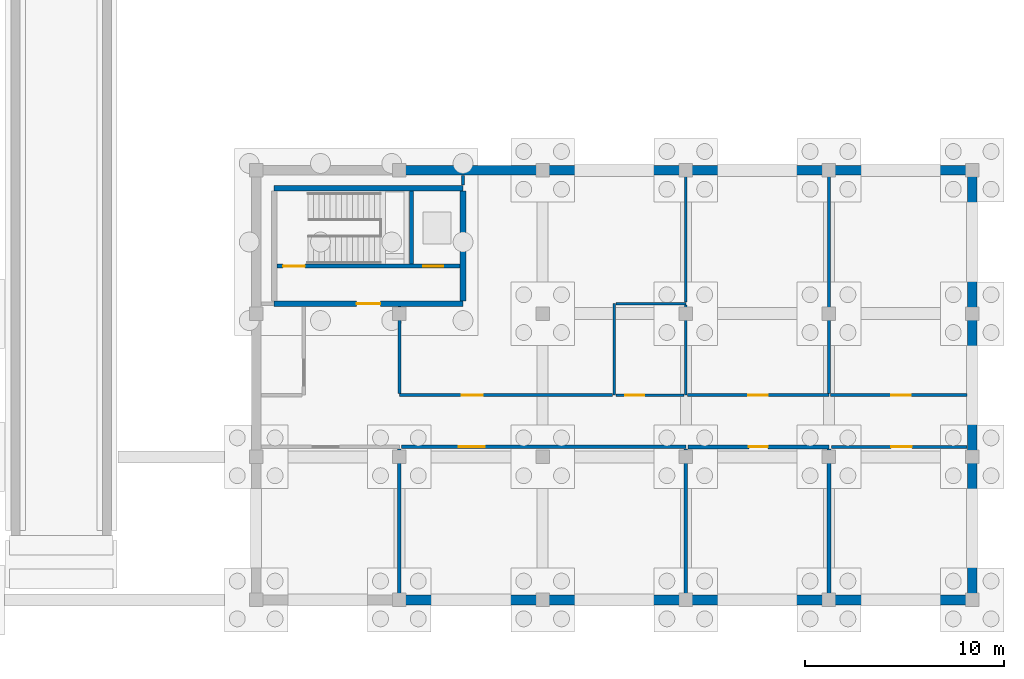
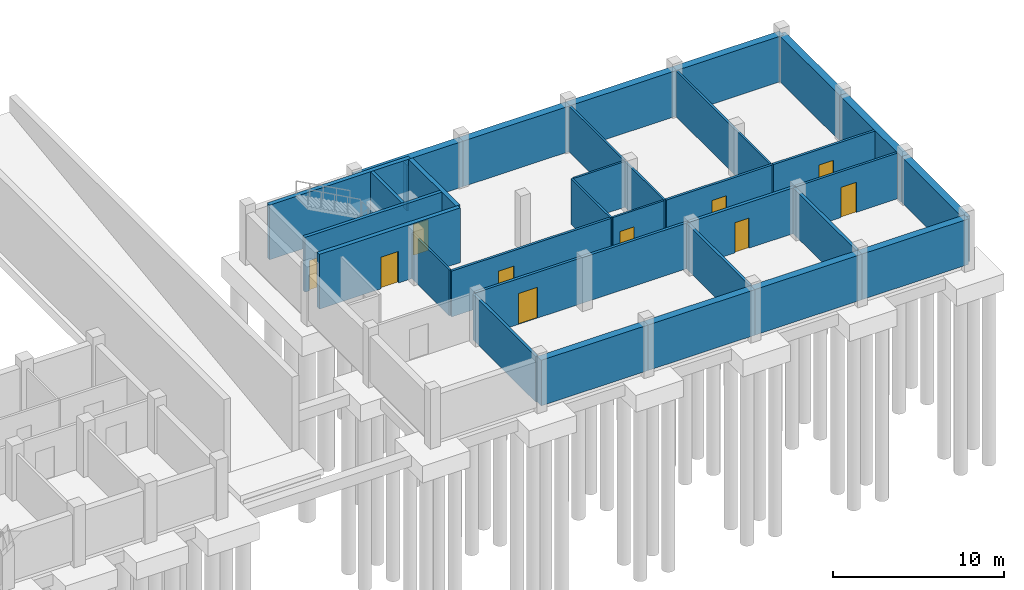
# One storey, part 7 of 10: 33 walls, 10 doors, 10 openings.
"""IFC4 building model written with IfcOpenShell, lengths in metres."""

from ifc_helpers import new_model, si_unit, direction, frame, frame_2d, origin, place, context, subcontext, project, spatial, rectangle, extrude, material, layer, layer_set, type_object, element, fill, save


model = new_model("IFC4")

# Units and contexts
model_context = context("Model", 3, precision=1e-05, world=origin(), true_north=direction((0.0, 1.0)))
body_context = subcontext(model_context, "Body", "Model", "MODEL_VIEW")
ifc_project = project(units=[si_unit("LENGTHUNIT", "METRE"), si_unit("AREAUNIT", "SQUARE_METRE"), si_unit("VOLUMEUNIT", "CUBIC_METRE"), si_unit("PLANEANGLEUNIT", "RADIAN"), si_unit("MASSUNIT", "GRAM", prefix="KILO")], contexts=[model_context])

# Site, building, storey
site_placement = place(None, origin())
site = spatial("IfcSite", under=ifc_project, at=site_placement, CompositionType="ELEMENT")
building_placement = place(site_placement, origin())
building = spatial("IfcBuilding", under=site, at=building_placement, Name="Zornivar Specialist Clinic", CompositionType="ELEMENT")
storey_placement = place(building_placement, frame((0.0, 0.0, -4.199951171875)))
storey = spatial("IfcBuildingStorey", under=building, at=storey_placement, Name="B1", CompositionType="ELEMENT", Elevation=-4.199951171875)

# Walls
ifc_material_1 = material(Name="Acoustic Clinical Stud Partition")
ifc_layer_1 = layer(ifc_material_1, 0.139892578125)
ifc_layer_set_1 = layer_set([ifc_layer_1], Name="Acoustic Clinical Stud Partition")
wall_type_1 = type_object("IfcWallType", Name="IW-CLIN-140", PredefinedType="PARTITIONING", material=ifc_layer_set_1)
wall_1_placement = place(storey_placement, frame((64.800048828125, 10.39404296875, 0.0), z_axis=(0.0, 0.0, 1.0), x_axis=(0.0, 1.0, 0.0)))
element("IfcWall", 1, at=wall_1_placement, inside=storey, type_object=wall_type_1, Name="iw:B1:051", PredefinedType="PARTITIONING", context=body_context, shape_type="SweptSolid", body=[
    extrude(rectangle(XDim=4.35107421875, YDim=0.139892578125, at=frame_2d((2.175537109375, 0.0))), origin(), (0.0, 0.0, 1.0), 3.260009765625),
])
wall_2_placement = place(storey_placement, frame((68.0, 20.85498046875, 0.0), z_axis=(0.0, 0.0, 1.0), x_axis=(0.0, 1.0, 0.0)))
element("IfcWall", 2, at=wall_2_placement, inside=storey, type_object=wall_type_1, Name="iw:B1:052", PredefinedType="PARTITIONING", context=body_context, shape_type="SweptSolid", body=[
    extrude(rectangle(XDim=0.489990234375, YDim=0.139892578125, at=frame_2d((0.2451171875, 0.0))), origin(), (0.0, 0.0, 1.0), 3.260009765625),
])
wall_3_placement = place(storey_placement, frame((79.199951171875, 21.344970703125, 0.0), z_axis=(0.0, 0.0, 1.0), x_axis=(0.0, -1.0, 0.0)))
element("IfcWall", 3, at=wall_3_placement, inside=storey, type_object=wall_type_1, Name="iw:B1:053", PredefinedType="PARTITIONING", context=body_context, shape_type="SweptSolid", body=[
    extrude(rectangle(XDim=6.365966796875, YDim=0.139892578125, at=frame_2d((3.18310546875, 0.0))), origin(), (0.0, 0.0, 1.0), 3.260009765625),
])
wall_4_placement = place(storey_placement, frame((86.39990234375, 21.344970703125, 0.0), z_axis=(0.0, 0.0, 1.0), x_axis=(0.0, -1.0, 0.0)))
element("IfcWall", 4, at=wall_4_placement, inside=storey, type_object=wall_type_1, Name="iw:B1:057", PredefinedType="PARTITIONING", context=body_context, shape_type="SweptSolid", body=[
    extrude(rectangle(XDim=10.950927734375, YDim=0.139892578125, at=frame_2d((5.4755859375, 0.0))), origin(), (0.0, 0.0, 1.0), 3.260009765625),
])
ifc_material_2 = material(Name="Fire-Compartment Shaft-Liner Partition")
ifc_layer_2 = layer(ifc_material_2, 0.179931640625)
ifc_layer_set_2 = layer_set([ifc_layer_2], Name="Fire-Compartment Shaft-Liner Partition")
wall_type_2 = type_object("IfcWallType", Name="IW-COMP-EI90-180", PredefinedType="PARTITIONING", material=ifc_layer_set_2)
wall_5_placement = place(storey_placement, frame((64.800048828125, 7.595947265625, 0.0), z_axis=(0.0, 0.0, 1.0), x_axis=(0.0, -1.0, 0.0)))
element("IfcWall", 5, at=wall_5_placement, inside=storey, type_object=wall_type_2, Name="iw:B1:040", PredefinedType="PARTITIONING", context=body_context, shape_type="SweptSolid", body=[
    extrude(rectangle(XDim=7.341064453125, YDim=0.179931640625, at=frame_2d((3.67041015625, 0.0))), origin(), (0.0, 0.0, 1.0), 3.260009765625),
])

# Wall, opening, door
wall_6_placement = place(storey_placement, frame((64.904052734375, 7.699951171875, 0.0), z_axis=(0.0, 0.0, 1.0), x_axis=(1.0, 0.0, 0.0)))
wall_6 = element("IfcWall", 6, at=wall_6_placement, inside=storey, type_object=wall_type_2, Name="iw:B1:044", PredefinedType="PARTITIONING", context=body_context, shape_type="SweptSolid", body=[
    extrude(rectangle(XDim=14.2958984375, YDim=0.179931640625, at=frame_2d((7.14794921875, 0.0))), origin(), (0.0, 0.0, 1.0), 3.260009765625),
])
opening_1_placement = place(wall_6_placement, frame((2.886962890625, 0.0, 0.0)))
opening_1 = element("IfcOpeningElement", 7, at=opening_1_placement, cuts=wall_6, Name="Opening FD-05", PredefinedType="OPENING", context=body_context, shape_type="SweptSolid", body=[
    extrude(rectangle(XDim=1.300048828125, YDim=2.199951171875, at=frame_2d((0.64990234375, 1.10009765625))), frame((0.0, 0.099853515625, 0.0), z_axis=(0.0, -1.0, 0.0), x_axis=(1.0, 0.0, 0.0)), (0.0, 0.0, 1.0), 0.199951171875),
])
ifc_material_3 = material(Name="Solid-Core Hygienic Laminate Timber Door", Category="wood")
door_type_1 = type_object("IfcDoorType", Name="FD-PLANT-1300x2200", OperationType="NOTDEFINED", PredefinedType="DOOR", material=ifc_material_3)
door_1_placement = place(opening_1_placement, origin())
door_1 = element("IfcDoor", 8, at=door_1_placement, inside=storey, type_object=door_type_1, Name="door:space:V3:B1:rm:02", OperationType="SINGLE_SWING_RIGHT", OverallHeight=2.199951171875, OverallWidth=1.300048828125, PredefinedType="DOOR", context=body_context, shape_type="SweptSolid", body=[
    extrude(rectangle(XDim=1.300048828125, YDim=2.199951171875, at=frame_2d((0.64990234375, 1.10009765625))), frame((0.0, 0.02490234375, 0.0), z_axis=(0.0, -1.0, 0.0), x_axis=(1.0, 0.0, 0.0)), (0.0, 0.0, 1.0), 0.050048828125),
])
fill(opening_1, door_1)

# Wall
wall_7_placement = place(storey_placement, frame((79.199951171875, 7.595947265625, 0.0), z_axis=(0.0, 0.0, 1.0), x_axis=(0.0, -1.0, 0.0)))
element("IfcWall", 9, at=wall_7_placement, inside=storey, type_object=wall_type_2, Name="iw:B1:045", PredefinedType="PARTITIONING", context=body_context, shape_type="SweptSolid", body=[
    extrude(rectangle(XDim=7.341064453125, YDim=0.179931640625, at=frame_2d((3.67041015625, 0.0))), origin(), (0.0, 0.0, 1.0), 3.260009765625),
])

# Wall, opening, door
ifc_material_4 = material(Name="Gypsum Fire-Rated Double Stud Partition")
ifc_layer_3 = layer(ifc_material_4, 0.159912109375)
ifc_layer_set_3 = layer_set([ifc_layer_3], Name="Gypsum Fire-Rated Double Stud Partition")
wall_type_3 = type_object("IfcWallType", Name="IW-CORR-EI60-160", PredefinedType="PARTITIONING", material=ifc_layer_set_3)
wall_8_placement = place(storey_placement, frame((75.52099609375, 10.300048828125, 0.0), z_axis=(0.0, 0.0, 1.0), x_axis=(-1.0, 0.0, 0.0)))
wall_8 = element("IfcWall", 10, at=wall_8_placement, inside=storey, type_object=wall_type_3, Name="iw:B1:050", PredefinedType="PARTITIONING", context=body_context, shape_type="SweptSolid", body=[
    extrude(rectangle(XDim=10.720947265625, YDim=0.159912109375, at=frame_2d((5.3603515625, 0.0))), origin(), (0.0, 0.0, 1.0), 3.260009765625),
])
opening_2_placement = place(wall_8_placement, frame((6.529052734375, 0.0, 0.0)))
opening_2 = element("IfcOpeningElement", 11, at=opening_2_placement, cuts=wall_8, Name="Opening ID-03", PredefinedType="OPENING", context=body_context, shape_type="SweptSolid", body=[
    extrude(rectangle(XDim=1.050048828125, YDim=2.14990234375, at=frame_2d((0.52490234375, 1.074951171875))), frame((0.0, 0.08984375, 0.0), z_axis=(0.0, -1.0, 0.0), x_axis=(1.0, 0.0, 0.0)), (0.0, 0.0, 1.0), 0.179931640625),
])
ifc_material_5 = material(Name="Solid-Core Hygienic Laminate Timber Door", Category="wood")
door_type_2 = type_object("IfcDoorType", Name="ID-CONS-1050x2150", OperationType="NOTDEFINED", PredefinedType="DOOR", material=ifc_material_5)
door_2_placement = place(opening_2_placement, origin())
door_2 = element("IfcDoor", 12, at=door_2_placement, inside=storey, type_object=door_type_2, Name="door:space:V3:B1:rm:03b", OperationType="SINGLE_SWING_RIGHT", OverallHeight=2.14990234375, OverallWidth=1.050048828125, PredefinedType="DOOR", context=body_context, shape_type="SweptSolid", body=[
    extrude(rectangle(XDim=1.050048828125, YDim=2.14990234375, at=frame_2d((0.52490234375, 1.074951171875))), frame((0.0, 0.02490234375, 0.0), z_axis=(0.0, -1.0, 0.0), x_axis=(1.0, 0.0, 0.0)), (0.0, 0.0, 1.0), 0.050048828125),
])
fill(opening_2, door_2)

wall_9_placement = place(storey_placement, frame((86.39990234375, 10.300048828125, 0.0), z_axis=(0.0, 0.0, 1.0), x_axis=(-1.0, 0.0, 0.0)))
wall_9 = element("IfcWall", 13, at=wall_9_placement, inside=storey, type_object=wall_type_3, Name="iw:B1:056", PredefinedType="PARTITIONING", context=body_context, shape_type="SweptSolid", body=[
    extrude(rectangle(XDim=7.120849609375, YDim=0.159912109375, at=frame_2d((3.560546875, 0.0))), origin(), (0.0, 0.0, 1.0), 3.260009765625),
])
opening_3_placement = place(wall_9_placement, frame((3.071044921875, 0.0, 0.0)))
opening_3 = element("IfcOpeningElement", 14, at=opening_3_placement, cuts=wall_9, Name="Opening ID-09", PredefinedType="OPENING", context=body_context, shape_type="SweptSolid", body=[
    extrude(rectangle(XDim=0.97998046875, YDim=2.14990234375, at=frame_2d((0.489990234375, 1.074951171875))), frame((0.0, 0.08984375, 0.0), z_axis=(0.0, -1.0, 0.0), x_axis=(1.0, 0.0, 0.0)), (0.0, 0.0, 1.0), 0.179931640625),
])
ifc_material_6 = material(Name="Solid-Core Hygienic Laminate Timber Door", Category="wood")
door_type_3 = type_object("IfcDoorType", Name="ID-STAFF-0980x2150", OperationType="NOTDEFINED", PredefinedType="DOOR", material=ifc_material_6)
door_3_placement = place(opening_3_placement, origin())
door_3 = element("IfcDoor", 15, at=door_3_placement, inside=storey, type_object=door_type_3, Name="door:space:V3:B1:rm:06", OperationType="SINGLE_SWING_RIGHT", OverallHeight=2.14990234375, OverallWidth=0.97998046875, PredefinedType="DOOR", context=body_context, shape_type="SweptSolid", body=[
    extrude(rectangle(XDim=0.97998046875, YDim=2.14990234375, at=frame_2d((0.489990234375, 1.074951171875))), frame((0.0, 0.02490234375, 0.0), z_axis=(0.0, -1.0, 0.0), x_axis=(1.0, 0.0, 0.0)), (0.0, 0.0, 1.0), 0.050048828125),
])
fill(opening_3, door_3)

wall_10_placement = place(storey_placement, frame((86.51904296875, 7.699951171875, 0.0), z_axis=(0.0, 0.0, 1.0), x_axis=(1.0, 0.0, 0.0)))
wall_10 = element("IfcWall", 16, at=wall_10_placement, inside=storey, type_object=wall_type_3, Name="iw:B1:058", PredefinedType="PARTITIONING", context=body_context, shape_type="SweptSolid", body=[
    extrude(rectangle(XDim=6.825927734375, YDim=0.159912109375, at=frame_2d((3.4130859375, 0.0))), origin(), (0.0, 0.0, 1.0), 3.260009765625),
])
opening_4_placement = place(wall_10_placement, frame((3.0029296875, 0.0, 0.0)))
opening_4 = element("IfcOpeningElement", 17, at=opening_4_placement, cuts=wall_10, Name="Opening ID-03", PredefinedType="OPENING", context=body_context, shape_type="SweptSolid", body=[
    extrude(rectangle(XDim=1.050048828125, YDim=2.14990234375, at=frame_2d((0.52490234375, 1.074951171875))), frame((0.0, 0.08984375, 0.0), z_axis=(0.0, -1.0, 0.0), x_axis=(1.0, 0.0, 0.0)), (0.0, 0.0, 1.0), 0.179931640625),
])
door_4_placement = place(opening_4_placement, origin())
door_4 = element("IfcDoor", 18, at=door_4_placement, inside=storey, type_object=door_type_2, Name="door:space:V3:B1:rm:07", OperationType="SINGLE_SWING_LEFT", OverallHeight=2.14990234375, OverallWidth=1.050048828125, PredefinedType="DOOR", context=body_context, shape_type="SweptSolid", body=[
    extrude(rectangle(XDim=1.050048828125, YDim=2.14990234375, at=frame_2d((0.52490234375, 1.074951171875))), frame((0.0, 0.02490234375, 0.0), z_axis=(0.0, -1.0, 0.0), x_axis=(1.0, 0.0, 0.0)), (0.0, 0.0, 1.0), 0.050048828125),
])
fill(opening_4, door_4)

wall_11_placement = place(storey_placement, frame((93.344970703125, 10.300048828125, 0.0), z_axis=(0.0, 0.0, 1.0), x_axis=(-1.0, 0.0, 0.0)))
wall_11 = element("IfcWall", 19, at=wall_11_placement, inside=storey, type_object=wall_type_3, Name="iw:B1:059", PredefinedType="PARTITIONING", context=body_context, shape_type="SweptSolid", body=[
    extrude(rectangle(XDim=6.861083984375, YDim=0.159912109375, at=frame_2d((3.4306640625, 0.0))), origin(), (0.0, 0.0, 1.0), 3.260009765625),
])
opening_5_placement = place(wall_11_placement, frame((2.822998046875, 0.0, 0.0)))
opening_5 = element("IfcOpeningElement", 20, at=opening_5_placement, cuts=wall_11, Name="Opening ID-09", PredefinedType="OPENING", context=body_context, shape_type="SweptSolid", body=[
    extrude(rectangle(XDim=0.97998046875, YDim=2.14990234375, at=frame_2d((0.489990234375, 1.074951171875))), frame((0.0, 0.08984375, 0.0), z_axis=(0.0, -1.0, 0.0), x_axis=(1.0, 0.0, 0.0)), (0.0, 0.0, 1.0), 0.179931640625),
])
door_5_placement = place(opening_5_placement, origin())
door_5 = element("IfcDoor", 21, at=door_5_placement, inside=storey, type_object=door_type_3, Name="door:space:V3:B1:rm:08", OperationType="SINGLE_SWING_RIGHT", OverallHeight=2.14990234375, OverallWidth=0.97998046875, PredefinedType="DOOR", context=body_context, shape_type="SweptSolid", body=[
    extrude(rectangle(XDim=0.97998046875, YDim=2.14990234375, at=frame_2d((0.489990234375, 1.074951171875))), frame((0.0, 0.02490234375, 0.0), z_axis=(0.0, -1.0, 0.0), x_axis=(1.0, 0.0, 0.0)), (0.0, 0.0, 1.0), 0.050048828125),
])
fill(opening_5, door_5)

ifc_material_7 = material(Name="Waterproofed Hydrotherapy and Changing Partition")
ifc_layer_4 = layer(ifc_material_7, 0.2099609375)
ifc_layer_set_4 = layer_set([ifc_layer_4], Name="Waterproofed Hydrotherapy and Changing Partition")
wall_type_4 = type_object("IfcWallType", Name="IW-HYDRO-WET-210", PredefinedType="PARTITIONING", material=ifc_layer_set_4)
wall_12_placement = place(storey_placement, frame((79.303955078125, 7.699951171875, 0.0), z_axis=(0.0, 0.0, 1.0), x_axis=(1.0, 0.0, 0.0)))
wall_12 = element("IfcWall", 22, at=wall_12_placement, inside=storey, type_object=wall_type_4, Name="iw:B1:054", PredefinedType="PARTITIONING", context=body_context, shape_type="SweptSolid", body=[
    extrude(rectangle(XDim=7.095947265625, YDim=0.2099609375, at=frame_2d((3.5478515625, 0.0))), origin(), (0.0, 0.0, 1.0), 3.260009765625),
])
opening_6_placement = place(wall_12_placement, frame((3.072998046875, 0.0, 0.0)))
opening_6 = element("IfcOpeningElement", 23, at=opening_6_placement, cuts=wall_12, Name="Opening ID-16", PredefinedType="OPENING", context=body_context, shape_type="SweptSolid", body=[
    extrude(rectangle(XDim=0.949951171875, YDim=2.14990234375, at=frame_2d((0.47509765625, 1.074951171875))), frame((0.0, 0.114990234375, 0.0), z_axis=(0.0, -1.0, 0.0), x_axis=(1.0, 0.0, 0.0)), (0.0, 0.0, 1.0), 0.22998046875),
])
ifc_material_8 = material(Name="Solid-Core Hygienic Laminate Timber Door", Category="wood")
door_type_4 = type_object("IfcDoorType", Name="ID-CHANG-0950x2150", OperationType="NOTDEFINED", PredefinedType="DOOR", material=ifc_material_8)
door_6_placement = place(opening_6_placement, origin())
door_6 = element("IfcDoor", 24, at=door_6_placement, inside=storey, type_object=door_type_4, Name="door:space:V3:B1:rm:05", OperationType="SINGLE_SWING_LEFT", OverallHeight=2.14990234375, OverallWidth=0.949951171875, PredefinedType="DOOR", context=body_context, shape_type="SweptSolid", body=[
    extrude(rectangle(XDim=0.949951171875, YDim=2.14990234375, at=frame_2d((0.47509765625, 1.074951171875))), frame((0.0, 0.02490234375, 0.0), z_axis=(0.0, -1.0, 0.0), x_axis=(1.0, 0.0, 0.0)), (0.0, 0.0, 1.0), 0.050048828125),
])
fill(opening_6, door_6)

# Walls
wall_13_placement = place(storey_placement, frame((86.39990234375, 7.5810546875, 0.0), z_axis=(0.0, 0.0, 1.0), x_axis=(0.0, -1.0, 0.0)))
element("IfcWall", 25, at=wall_13_placement, inside=storey, type_object=wall_type_4, Name="iw:B1:055", PredefinedType="PARTITIONING", context=body_context, shape_type="SweptSolid", body=[
    extrude(rectangle(XDim=7.326171875, YDim=0.2099609375, at=frame_2d((3.6630859375, 0.0))), origin(), (0.0, 0.0, 1.0), 3.260009765625),
])
ifc_material_9 = material(Name="Moisture-Resistant Sanitary Partition")
ifc_layer_5 = layer(ifc_material_9, 0.1298828125)
ifc_layer_set_5 = layer_set([ifc_layer_5], Name="Moisture-Resistant Sanitary Partition")
wall_type_5 = type_object("IfcWallType", Name="IW-WET-130", PredefinedType="PARTITIONING", material=ifc_layer_set_5)
wall_14_placement = place(storey_placement, frame((75.60009765625, 10.300048828125, 0.0), z_axis=(0.0, 0.0, 1.0), x_axis=(0.0, 1.0, 0.0)))
element("IfcWall", 26, at=wall_14_placement, inside=storey, type_object=wall_type_5, Name="iw:B1:046", PredefinedType="PARTITIONING", context=body_context, shape_type="SweptSolid", body=[
    extrude(rectangle(XDim=4.599853515625, YDim=0.1298828125, at=frame_2d((2.2998046875, 0.0))), origin(), (0.0, 0.0, 1.0), 3.260009765625),
])
wall_15_placement = place(storey_placement, frame((75.678955078125, 14.89990234375, 0.0), z_axis=(0.0, 0.0, 1.0), x_axis=(1.0, 0.0, 0.0)))
element("IfcWall", 27, at=wall_15_placement, inside=storey, type_object=wall_type_5, Name="iw:B1:047", PredefinedType="PARTITIONING", context=body_context, shape_type="SweptSolid", body=[
    extrude(rectangle(XDim=3.52099609375, YDim=0.1298828125, at=frame_2d((1.760498046875, 0.0))), origin(), (0.0, 0.0, 1.0), 3.260009765625),
])
wall_16_placement = place(storey_placement, frame((79.199951171875, 14.821044921875, 0.0), z_axis=(0.0, 0.0, 1.0), x_axis=(0.0, -1.0, 0.0)))
element("IfcWall", 28, at=wall_16_placement, inside=storey, type_object=wall_type_5, Name="iw:B1:048", PredefinedType="PARTITIONING", context=body_context, shape_type="SweptSolid", body=[
    extrude(rectangle(XDim=4.52099609375, YDim=0.1298828125, at=frame_2d((2.260498046875, 0.0))), origin(), (0.0, 0.0, 1.0), 3.260009765625),
])

# Wall, opening, door
wall_17_placement = place(storey_placement, frame((79.12109375, 10.300048828125, 0.0), z_axis=(0.0, 0.0, 1.0), x_axis=(-1.0, 0.0, 0.0)))
wall_17 = element("IfcWall", 29, at=wall_17_placement, inside=storey, type_object=wall_type_5, Name="iw:B1:049", PredefinedType="PARTITIONING", context=body_context, shape_type="SweptSolid", body=[
    extrude(rectangle(XDim=3.442138671875, YDim=0.1298828125, at=frame_2d((1.72119140625, 0.0))), origin(), (0.0, 0.0, 1.0), 3.260009765625),
])
opening_7_placement = place(wall_17_placement, frame((2.011962890625, 0.0, 0.0)))
opening_7 = element("IfcOpeningElement", 30, at=opening_7_placement, cuts=wall_17, Name="Opening ID-07", PredefinedType="OPENING", context=body_context, shape_type="SweptSolid", body=[
    extrude(rectangle(XDim=0.949951171875, YDim=2.10009765625, at=frame_2d((0.47509765625, 1.050048828125))), frame((0.0, 0.074951171875, 0.0), z_axis=(0.0, -1.0, 0.0), x_axis=(1.0, 0.0, 0.0)), (0.0, 0.0, 1.0), 0.14990234375),
])
ifc_material_10 = material(Name="Solid-Core Hygienic Laminate Timber Door", Category="wood")
door_type_5 = type_object("IfcDoorType", Name="ID-WC-ACC-0950x2100", OperationType="NOTDEFINED", PredefinedType="DOOR", material=ifc_material_10)
door_7_placement = place(opening_7_placement, origin())
door_7 = element("IfcDoor", 31, at=door_7_placement, inside=storey, type_object=door_type_5, Name="door:space:V3:B1:rm:03", OperationType="SINGLE_SWING_LEFT", OverallHeight=2.10009765625, OverallWidth=0.949951171875, PredefinedType="DOOR", context=body_context, shape_type="SweptSolid", body=[
    extrude(rectangle(XDim=0.949951171875, YDim=2.10009765625, at=frame_2d((0.47509765625, 1.050048828125))), frame((0.0, 0.02490234375, 0.0), z_axis=(0.0, -1.0, 0.0), x_axis=(1.0, 0.0, 0.0)), (0.0, 0.0, 1.0), 0.050048828125),
])
fill(opening_7, door_7)

# Walls
ifc_material_11 = material(Name="Concrete C35/45 Heavy Imaging Basement Wall", Category="concrete")
ifc_layer_6 = layer(ifc_material_11, 0.47998046875)
ifc_layer_set_6 = layer_set([ifc_layer_6], Name="Concrete C35/45 Heavy Imaging Basement Wall")
wall_type_6 = type_object("IfcWallType", Name="RW-B1-RETAIN-480", PredefinedType="ELEMENTEDWALL", material=ifc_layer_set_6)
for number, where, z_axis, x_axis, name in (
    (32, (64.800048828125, 0.0, 0.0), (0.0, 0.0, 1.0), (1.0, 0.0, 0.0), "rw:V3:B1:01"),
    (33, (72.0, 0.0, 0.0), (0.0, 0.0, 1.0), (1.0, 0.0, 0.0), "rw:V3:B1:02"),
    (34, (79.199951171875, 0.0, 0.0), (0.0, 0.0, 1.0), (1.0, 0.0, 0.0), "rw:V3:B1:03"),
):
    element("IfcWall", number, at=place(storey_placement, frame(where, z_axis=z_axis, x_axis=x_axis)), inside=storey, type_object=wall_type_6, Name=name, PredefinedType="ELEMENTEDWALL", context=body_context, shape_type="SweptSolid", body=[
        extrude(rectangle(XDim=7.199951171875, YDim=0.47998046875, at=frame_2d((3.60009765625, 0.0))), origin(), (0.0, 0.0, 1.0), 3.25),
    ])
wall_18_placement = place(storey_placement, frame((86.39990234375, 0.0, 0.0), z_axis=(0.0, 0.0, 1.0), x_axis=(1.0, 0.0, 0.0)))
element("IfcWall", 35, at=wall_18_placement, inside=storey, type_object=wall_type_6, Name="rw:V3:B1:04", PredefinedType="ELEMENTEDWALL", context=body_context, shape_type="SweptSolid", body=[
    extrude(rectangle(XDim=7.2001953125, YDim=0.47998046875, at=frame_2d((3.60009765625, 0.0))), origin(), (0.0, 0.0, 1.0), 3.25),
])
for number, where, z_axis, x_axis, name in (
    (36, (93.60009765625, 0.0, 0.0), (0.0, 0.0, 1.0), (0.0, 1.0, 0.0), "rw:V3:B1:05"),
    (37, (93.60009765625, 7.199951171875, 0.0), (0.0, 0.0, 1.0), (0.0, 1.0, 0.0), "rw:V3:B1:06"),
):
    element("IfcWall", number, at=place(storey_placement, frame(where, z_axis=z_axis, x_axis=x_axis)), inside=storey, type_object=wall_type_6, Name=name, PredefinedType="ELEMENTEDWALL", context=body_context, shape_type="SweptSolid", body=[
        extrude(rectangle(XDim=7.199951171875, YDim=0.47998046875, at=frame_2d((3.60009765625, 0.0))), origin(), (0.0, 0.0, 1.0), 3.25),
    ])
for number, where, z_axis, x_axis, name in (
    (38, (93.60009765625, 14.39990234375, 0.0), (0.0, 0.0, 1.0), (0.0, 1.0, 0.0), "rw:V3:B1:07"),
    (39, (93.60009765625, 21.60009765625, 0.0), (0.0, 0.0, 1.0), (-1.0, 0.0, 0.0), "rw:V3:B1:08"),
):
    element("IfcWall", number, at=place(storey_placement, frame(where, z_axis=z_axis, x_axis=x_axis)), inside=storey, type_object=wall_type_6, Name=name, PredefinedType="ELEMENTEDWALL", context=body_context, shape_type="SweptSolid", body=[
        extrude(rectangle(XDim=7.2001953125, YDim=0.47998046875, at=frame_2d((3.60009765625, 0.0))), origin(), (0.0, 0.0, 1.0), 3.25),
    ])
for number, where, z_axis, x_axis, name in (
    (40, (86.39990234375, 21.60009765625, 0.0), (0.0, 0.0, 1.0), (-1.0, 0.0, 0.0), "rw:V3:B1:09"),
    (41, (79.199951171875, 21.60009765625, 0.0), (0.0, 0.0, 1.0), (-1.0, 0.0, 0.0), "rw:V3:B1:10"),
    (42, (72.0, 21.60009765625, 0.0), (0.0, 0.0, 1.0), (-1.0, 0.0, 0.0), "rw:V3:B1:11"),
):
    element("IfcWall", number, at=place(storey_placement, frame(where, z_axis=z_axis, x_axis=x_axis)), inside=storey, type_object=wall_type_6, Name=name, PredefinedType="ELEMENTEDWALL", context=body_context, shape_type="SweptSolid", body=[
        extrude(rectangle(XDim=7.199951171875, YDim=0.47998046875, at=frame_2d((3.60009765625, 0.0))), origin(), (0.0, 0.0, 1.0), 3.25),
    ])

# Wall, opening, door
ifc_material_12 = material(Name="Concrete C35/45", Category="concrete")
ifc_layer_7 = layer(ifc_material_12, 0.280029296875)
ifc_layer_set_7 = layer_set([ifc_layer_7], Name="Concrete C35/45")
wall_type_7 = type_object("IfcWallType", Name="SW-CORE-280", PredefinedType="SHEAR", material=ifc_layer_set_7)
wall_19_placement = place(storey_placement, frame((58.5, 14.89990234375, 0.0), z_axis=(0.0, 0.0, 1.0), x_axis=(1.0, 0.0, 0.0)))
wall_19 = element("IfcWall", 43, at=wall_19_placement, inside=storey, type_object=wall_type_7, Name="sw:C5:B1:w0", PredefinedType="SHEAR", context=body_context, shape_type="SweptSolid", body=[
    extrude(rectangle(XDim=9.5, YDim=0.280029296875, at=frame_2d((4.75, 0.0))), origin(), (0.0, 0.0, 1.0), 3.89990234375),
])
opening_8_placement = place(wall_19_placement, frame((4.14990234375, 0.0, 0.0)))
opening_8 = element("IfcOpeningElement", 44, at=opening_8_placement, cuts=wall_19, Name="Opening FD-01", PredefinedType="OPENING", context=body_context, shape_type="SweptSolid", body=[
    extrude(rectangle(XDim=1.199951171875, YDim=2.25, at=frame_2d((0.60009765625, 1.125))), frame((0.0, 0.14990234375, 0.0), z_axis=(0.0, -1.0, 0.0), x_axis=(1.0, 0.0, 0.0)), (0.0, 0.0, 1.0), 0.300048828125),
])
ifc_material_13 = material(Name="Solid-Core Hygienic Laminate Timber Door", Category="wood")
door_type_6 = type_object("IfcDoorType", Name="FD-LOBBY-MAIN-1200x2250", OperationType="NOTDEFINED", PredefinedType="DOOR", material=ifc_material_13)
door_8_placement = place(opening_8_placement, origin())
door_8 = element("IfcDoor", 45, at=door_8_placement, inside=storey, type_object=door_type_6, Name="door:C5:B1:lob", OperationType="SINGLE_SWING_RIGHT", OverallHeight=2.25, OverallWidth=1.199951171875, PredefinedType="DOOR", context=body_context, shape_type="SweptSolid", body=[
    extrude(rectangle(XDim=1.199951171875, YDim=2.25, at=frame_2d((0.60009765625, 1.125))), frame((0.0, 0.02490234375, 0.0), z_axis=(0.0, -1.0, 0.0), x_axis=(1.0, 0.0, 0.0)), (0.0, 0.0, 1.0), 0.050048828125),
])
fill(opening_8, door_8)

# Walls
wall_20_placement = place(storey_placement, frame((68.0, 15.0400390625, 0.0), z_axis=(0.0, 0.0, 1.0), x_axis=(0.0, 1.0, 0.0)))
element("IfcWall", 46, at=wall_20_placement, inside=storey, type_object=wall_type_7, Name="sw:C5:B1:w1", PredefinedType="SHEAR", context=body_context, shape_type="SweptSolid", body=[
    extrude(rectangle(XDim=5.52001953125, YDim=0.280029296875, at=frame_2d((2.760009765625, 0.0))), origin(), (0.0, 0.0, 1.0), 3.89990234375),
])
wall_21_placement = place(storey_placement, frame((68.0, 20.699951171875, 0.0), z_axis=(0.0, 0.0, 1.0), x_axis=(-1.0, 0.0, 0.0)))
element("IfcWall", 47, at=wall_21_placement, inside=storey, type_object=wall_type_7, Name="sw:C5:B1:w2", PredefinedType="SHEAR", context=body_context, shape_type="SweptSolid", body=[
    extrude(rectangle(XDim=9.5, YDim=0.280029296875, at=frame_2d((4.75, 0.0))), origin(), (0.0, 0.0, 1.0), 3.89990234375),
])
ifc_material_14 = material(Name="Concrete C30/37", Category="concrete")
ifc_layer_8 = layer(ifc_material_14, 0.199951171875)
ifc_layer_set_8 = layer_set([ifc_layer_8], Name="Concrete C30/37")
wall_type_8 = type_object("IfcWallType", Name="SW-LIFT-200", PredefinedType="SHEAR", material=ifc_layer_set_8)
wall_22_placement = place(storey_placement, frame((65.39990234375, 16.89990234375, 0.0), z_axis=(0.0, 0.0, 1.0), x_axis=(0.0, 1.0, 0.0)))
element("IfcWall", 48, at=wall_22_placement, inside=storey, type_object=wall_type_8, Name="sw:C5:B1:sdiv", PredefinedType="SHEAR", context=body_context, shape_type="SweptSolid", body=[
    extrude(rectangle(XDim=3.66015625, YDim=0.199951171875, at=frame_2d((1.830078125, 0.0))), origin(), (0.0, 0.0, 1.0), 3.89990234375),
])

# Wall, openings, doors
ifc_material_15 = material(Name="Concrete C30/37", Category="concrete")
ifc_layer_9 = layer(ifc_material_15, 0.219970703125)
ifc_layer_set_9 = layer_set([ifc_layer_9], Name="Concrete C30/37")
wall_type_9 = type_object("IfcWallType", Name="SW-SHAFT-220", PredefinedType="SHEAR", material=ifc_layer_set_9)
wall_23_placement = place(storey_placement, frame((58.639892578125, 16.7900390625, 0.0), z_axis=(0.0, 0.0, 1.0), x_axis=(1.0, 0.0, 0.0)))
wall_23 = element("IfcWall", 49, at=wall_23_placement, inside=storey, type_object=wall_type_9, Name="sw:C5:B1:stwall", PredefinedType="SHEAR", context=body_context, shape_type="SweptSolid", body=[
    extrude(rectangle(XDim=9.22021484375, YDim=0.219970703125, at=frame_2d((4.610107421875, 0.0))), origin(), (0.0, 0.0, 1.0), 3.89990234375),
])
opening_9_placement = place(wall_23_placement, frame((0.31005859375, 0.0, 0.0)))
opening_9 = element("IfcOpeningElement", 50, at=opening_9_placement, cuts=wall_23, Name="Opening FD-02", PredefinedType="OPENING", context=body_context, shape_type="SweptSolid", body=[
    extrude(rectangle(XDim=1.10009765625, YDim=2.14990234375, at=frame_2d((0.550048828125, 1.074951171875))), frame((0.0, 0.119873046875, 0.0), z_axis=(0.0, -1.0, 0.0), x_axis=(1.0, 0.0, 0.0)), (0.0, 0.0, 1.0), 0.239990234375),
])
opening_10_placement = place(wall_23_placement, frame((7.360107421875, 0.0, 0.0)))
opening_10 = element("IfcOpeningElement", 51, at=opening_10_placement, cuts=wall_23, Name="Opening LD-02", PredefinedType="OPENING", context=body_context, shape_type="SweptSolid", body=[
    extrude(rectangle(XDim=1.0, YDim=2.199951171875, at=frame_2d((0.5, 1.10009765625))), frame((0.0, 0.119873046875, 0.0), z_axis=(0.0, -1.0, 0.0), x_axis=(1.0, 0.0, 0.0)), (0.0, 0.0, 1.0), 0.239990234375),
])
ifc_material_16 = material(Name="Solid-Core Hygienic Laminate Timber Door", Category="wood")
door_type_7 = type_object("IfcDoorType", Name="FD-STAIR-1100x2150", OperationType="NOTDEFINED", PredefinedType="DOOR", material=ifc_material_16)
door_9_placement = place(opening_9_placement, origin())
door_9 = element("IfcDoor", 52, at=door_9_placement, inside=storey, type_object=door_type_7, Name="door:C5:B1:stair", OperationType="SINGLE_SWING_LEFT", OverallHeight=2.14990234375, OverallWidth=1.10009765625, PredefinedType="DOOR", context=body_context, shape_type="SweptSolid", body=[
    extrude(rectangle(XDim=1.10009765625, YDim=2.14990234375, at=frame_2d((0.550048828125, 1.074951171875))), frame((0.0, 0.02490234375, 0.0), z_axis=(0.0, -1.0, 0.0), x_axis=(1.0, 0.0, 0.0)), (0.0, 0.0, 1.0), 0.050048828125),
])
fill(opening_9, door_9)
ifc_material_17 = material(Name="Stainless Steel Lift Landing Sliding Door", Category="steel")
door_type_8 = type_object("IfcDoorType", Name="LD-LIFT-1000x2200", OperationType="NOTDEFINED", PredefinedType="DOOR", material=ifc_material_17)
door_10_placement = place(opening_10_placement, origin())
door_10 = element("IfcDoor", 53, at=door_10_placement, inside=storey, type_object=door_type_8, Name="door:C5:B1:lift", OperationType="DOUBLE_DOOR_SLIDING", OverallHeight=2.199951171875, OverallWidth=1.0, PredefinedType="DOOR", context=body_context, shape_type="SweptSolid", body=[
    extrude(rectangle(XDim=1.0, YDim=2.199951171875, at=frame_2d((0.5, 1.10009765625))), frame((0.0, 0.02490234375, 0.0), z_axis=(0.0, -1.0, 0.0), x_axis=(1.0, 0.0, 0.0)), (0.0, 0.0, 1.0), 0.050048828125),
])
fill(opening_10, door_10)

save(model, "model.ifc")
